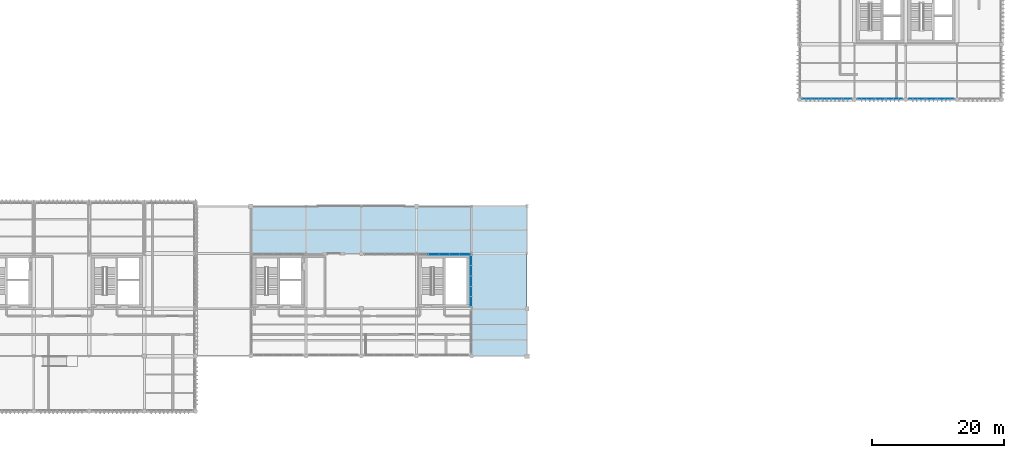
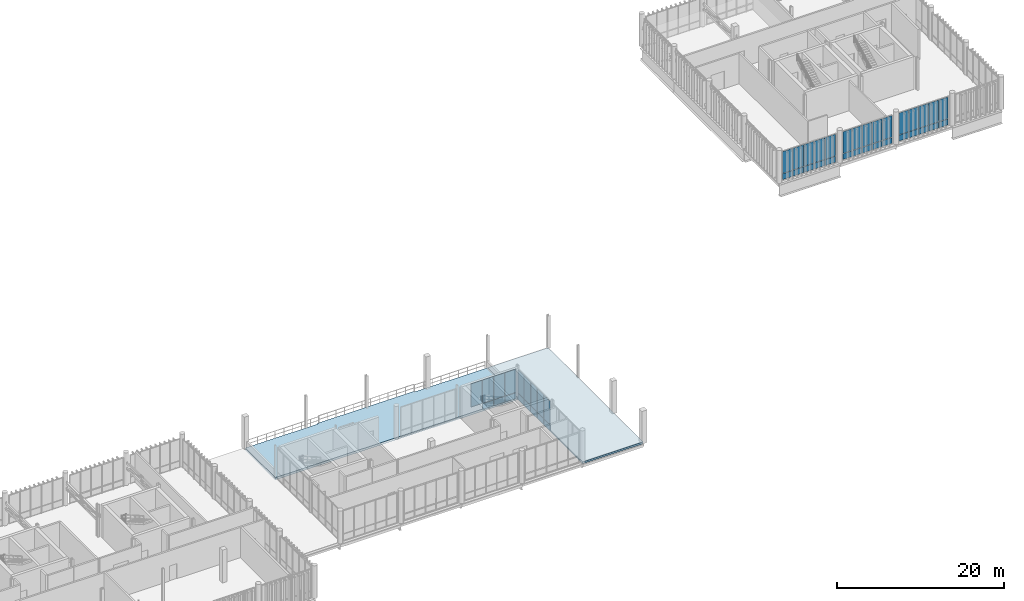
# One storey, part 64 of 81: 47 plates, 2 slabs, 5 elements without a shape of their own.
"""IFC4 building model written with IfcOpenShell, lengths in metres."""

from ifc_helpers import new_model, si_unit, direction, frame, frame_2d, origin_with_axes, place, context, subcontext, project, spatial, polyline, rectangle, outline, extrude, material, layer, layer_set, type_object, element, aggregate, save


model = new_model("IFC4")

# Units and contexts
model_context = context("Model", 3, precision=1e-05, world=origin_with_axes(), true_north=direction((0.0, 1.0)))
body_context = subcontext(model_context, "Body", "Model", "MODEL_VIEW")
ifc_project = project(units=[si_unit("LENGTHUNIT", "METRE"), si_unit("AREAUNIT", "SQUARE_METRE"), si_unit("VOLUMEUNIT", "CUBIC_METRE"), si_unit("PLANEANGLEUNIT", "RADIAN"), si_unit("MASSUNIT", "GRAM", prefix="KILO"), si_unit("THERMODYNAMICTEMPERATUREUNIT", "KELVIN")], contexts=[model_context])

# Site, building, storey
site_placement = place(None, origin_with_axes())
site = spatial("IfcSite", under=ifc_project, at=site_placement, CompositionType="ELEMENT")
building_placement = place(site_placement, origin_with_axes())
building = spatial("IfcBuilding", under=site, at=building_placement, Name="Montbau Bow Law Courts", CompositionType="ELEMENT")
storey_placement = place(building_placement, frame((0.0, 0.0, 24.9), z_axis=(0.0, 0.0, 1.0), x_axis=(1.0, 0.0, 0.0)))
storey = spatial("IfcBuildingStorey", under=building, at=storey_placement, Name="L05", CompositionType="ELEMENT", Elevation=24.9)

# Curtain wall, plates
ifc_material_1 = material(Name="Thermally Broken Extruded Aluminium AA 6063-T6", Category="aluminium")
curtain_wall_type_1 = type_object("IfcCurtainWallType", Name="CW-SLT-02", PredefinedType="NOTDEFINED", material=ifc_material_1)
curtain_wall_1_placement = place(None, frame((139.04, 78.14, 24.9), z_axis=(0.0, 0.0, 1.0), x_axis=(1.0, 0.0, 0.0)))
curtain_wall_1 = element("IfcCurtainWall", 1, at=curtain_wall_1_placement, inside=storey, type_object=curtain_wall_type_1, Name="CW-L05-333:cw_0333", PredefinedType="NOTDEFINED")
ifc_material_2 = material(Name="Triple-Glazed Low-E Argon Insulating Glass Unit", Category="glass")
ifc_layer_1 = layer(ifc_material_2, 0.044, Name="Curtain Panel", Category="glass")
ifc_layer_set_1 = layer_set([ifc_layer_1], Name="Triple-Glazed Low-E Argon Insulating Glass Unit")
plate_type_1 = type_object("IfcPlateType", Name="PL-CWP-01", PredefinedType="CURTAIN_PANEL", material=ifc_layer_set_1)
plate_1_placement = place(None, frame((139.116, 78.14, 25.88), z_axis=(0.0, -1.0, 0.0), x_axis=(1.0, 0.0, 0.0)))
plate_1 = element("IfcPlate", 2, at=plate_1_placement, type_object=plate_type_1, Name="CW-L05-333-P01-2:cw_0333_P01_2", PredefinedType="CURTAIN_PANEL", context=body_context, shape_type="SweptSolid", body=[
    extrude(rectangle(XDim=1.388, YDim=3.184, at=frame_2d((0.694, 1.592), x_axis=(1.0, 0.0))), frame((0.0, 0.0, -0.022), z_axis=(0.0, 0.0, 1.0), x_axis=(1.0, 0.0, 0.0)), (0.0, 0.0, 1.0), 0.044),
])
plate_2_placement = place(None, frame((140.584, 78.14, 25.88), z_axis=(0.0, -1.0, 0.0), x_axis=(1.0, 0.0, 0.0)))
plate_2 = element("IfcPlate", 3, at=plate_2_placement, type_object=plate_type_1, Name="CW-L05-333-P02-2:cw_0333_P02_2", PredefinedType="CURTAIN_PANEL", context=body_context, shape_type="SweptSolid", body=[
    extrude(rectangle(XDim=1.425, YDim=3.184, at=frame_2d((0.7125, 1.592), x_axis=(1.0, 0.0))), frame((0.0, 0.0, -0.022), z_axis=(0.0, 0.0, 1.0), x_axis=(1.0, 0.0, 0.0)), (0.0, 0.0, 1.0), 0.044),
])
plate_3_placement = place(None, frame((142.087, 78.14, 25.88), z_axis=(0.0, -1.0, 0.0), x_axis=(1.0, 0.0, 0.0)))
plate_3 = element("IfcPlate", 4, at=plate_3_placement, type_object=plate_type_1, Name="CW-L05-333-P03-2:cw_0333_P03_2", PredefinedType="CURTAIN_PANEL", context=body_context, shape_type="SweptSolid", body=[
    extrude(rectangle(XDim=1.426, YDim=3.184, at=frame_2d((0.713, 1.592), x_axis=(1.0, 0.0))), frame((0.0, 0.0, -0.022), z_axis=(0.0, 0.0, 1.0), x_axis=(1.0, 0.0, 0.0)), (0.0, 0.0, 1.0), 0.044),
])
plate_4_placement = place(None, frame((143.591, 78.14, 25.88), z_axis=(0.0, -1.0, 0.0), x_axis=(1.0, 0.0, 0.0)))
plate_4 = element("IfcPlate", 5, at=plate_4_placement, type_object=plate_type_1, Name="CW-L05-333-P04-2:cw_0333_P04_2", PredefinedType="CURTAIN_PANEL", context=body_context, shape_type="SweptSolid", body=[
    extrude(rectangle(XDim=1.426, YDim=3.184, at=frame_2d((0.713, 1.592), x_axis=(1.0, 0.0))), frame((0.0, 0.0, -0.022), z_axis=(0.0, 0.0, 1.0), x_axis=(1.0, 0.0, 0.0)), (0.0, 0.0, 1.0), 0.044),
])
plate_5_placement = place(None, frame((145.095, 78.14, 25.88), z_axis=(0.0, -1.0, 0.0), x_axis=(1.0, 0.0, 0.0)))
plate_5 = element("IfcPlate", 6, at=plate_5_placement, type_object=plate_type_1, Name="CW-L05-333-P05-2:cw_0333_P05_2", PredefinedType="CURTAIN_PANEL", context=body_context, shape_type="SweptSolid", body=[
    extrude(rectangle(XDim=1.389, YDim=3.184, at=frame_2d((0.6945, 1.592), x_axis=(1.0, 0.0))), frame((0.0, 0.0, -0.022), z_axis=(0.0, 0.0, 1.0), x_axis=(1.0, 0.0, 0.0)), (0.0, 0.0, 1.0), 0.044),
])

curtain_wall_2_placement = place(None, frame((147.44, 78.14, 24.9), z_axis=(0.0, 0.0, 1.0), x_axis=(1.0, 0.0, 0.0)))
curtain_wall_2 = element("IfcCurtainWall", 7, at=curtain_wall_2_placement, inside=storey, type_object=curtain_wall_type_1, Name="CW-L05-334:cw_0334", PredefinedType="NOTDEFINED")
plate_6_placement = place(None, frame((147.508, 78.14, 25.882), z_axis=(0.0, -1.0, 0.0), x_axis=(1.0, 0.0, 0.0)))
plate_6 = element("IfcPlate", 8, at=plate_6_placement, type_object=plate_type_1, Name="CW-L05-334-P01-2:cw_0334_P01_2", PredefinedType="CURTAIN_PANEL", context=body_context, shape_type="SweptSolid", body=[
    extrude(rectangle(XDim=1.281, YDim=3.176, at=frame_2d((0.6405, 1.588), x_axis=(1.0, 0.0))), frame((0.0, 0.0, -0.022), z_axis=(0.0, 0.0, 1.0), x_axis=(1.0, 0.0, 0.0)), (0.0, 0.0, 1.0), 0.044),
])
plate_7_placement = place(None, frame((148.858, 78.14, 25.882), z_axis=(0.0, -1.0, 0.0), x_axis=(1.0, 0.0, 0.0)))
plate_7 = element("IfcPlate", 9, at=plate_7_placement, type_object=plate_type_1, Name="CW-L05-334-P02-2:cw_0334_P02_2", PredefinedType="CURTAIN_PANEL", context=body_context, shape_type="SweptSolid", body=[
    extrude(rectangle(XDim=1.315, YDim=3.176, at=frame_2d((0.6575, 1.588), x_axis=(1.0, 0.0))), frame((0.0, 0.0, -0.022), z_axis=(0.0, 0.0, 1.0), x_axis=(1.0, 0.0, 0.0)), (0.0, 0.0, 1.0), 0.044),
])
plate_8_placement = place(None, frame((150.242, 78.14, 25.882), z_axis=(0.0, -1.0, 0.0), x_axis=(1.0, 0.0, 0.0)))
plate_8 = element("IfcPlate", 10, at=plate_8_placement, type_object=plate_type_1, Name="CW-L05-334-P03-2:cw_0334_P03_2", PredefinedType="CURTAIN_PANEL", context=body_context, shape_type="SweptSolid", body=[
    extrude(rectangle(XDim=1.316, YDim=3.176, at=frame_2d((0.658, 1.588), x_axis=(1.0, 0.0))), frame((0.0, 0.0, -0.022), z_axis=(0.0, 0.0, 1.0), x_axis=(1.0, 0.0, 0.0)), (0.0, 0.0, 1.0), 0.044),
])
plate_9_placement = place(None, frame((151.626, 78.14, 25.882), z_axis=(0.0, -1.0, 0.0), x_axis=(1.0, 0.0, 0.0)))
plate_9 = element("IfcPlate", 11, at=plate_9_placement, type_object=plate_type_1, Name="CW-L05-334-P04-2:cw_0334_P04_2", PredefinedType="CURTAIN_PANEL", context=body_context, shape_type="SweptSolid", body=[
    extrude(rectangle(XDim=1.316, YDim=3.176, at=frame_2d((0.658, 1.588), x_axis=(1.0, 0.0))), frame((0.0, 0.0, -0.022), z_axis=(0.0, 0.0, 1.0), x_axis=(1.0, 0.0, 0.0)), (0.0, 0.0, 1.0), 0.044),
])
plate_10_placement = place(None, frame((153.01, 78.14, 25.882), z_axis=(0.0, -1.0, 0.0), x_axis=(1.0, 0.0, 0.0)))
plate_10 = element("IfcPlate", 12, at=plate_10_placement, type_object=plate_type_1, Name="CW-L05-334-P05-2:cw_0334_P05_2", PredefinedType="CURTAIN_PANEL", context=body_context, shape_type="SweptSolid", body=[
    extrude(rectangle(XDim=1.284, YDim=3.176, at=frame_2d((0.642, 1.588), x_axis=(1.0, 0.0))), frame((0.0, 0.0, -0.022), z_axis=(0.0, 0.0, 1.0), x_axis=(1.0, 0.0, 0.0)), (0.0, 0.0, 1.0), 0.044),
])

curtain_wall_3_placement = place(None, frame((155.24, 78.14, 24.9), z_axis=(0.0, 0.0, 1.0), x_axis=(1.0, 0.0, 0.0)))
curtain_wall_3 = element("IfcCurtainWall", 13, at=curtain_wall_3_placement, inside=storey, type_object=curtain_wall_type_1, Name="CW-L05-335:cw_0335", PredefinedType="NOTDEFINED")
plate_11_placement = place(None, frame((155.302, 78.14, 25.88), z_axis=(0.0, -1.0, 0.0), x_axis=(1.0, 0.0, 0.0)))
plate_11 = element("IfcPlate", 14, at=plate_11_placement, type_object=plate_type_1, Name="CW-L05-335-P01-2:cw_0335_P01_2", PredefinedType="CURTAIN_PANEL", context=body_context, shape_type="SweptSolid", body=[
    extrude(rectangle(XDim=1.29, YDim=3.184, at=frame_2d((0.645, 1.592), x_axis=(1.0, 0.0))), frame((0.0, 0.0, -0.022), z_axis=(0.0, 0.0, 1.0), x_axis=(1.0, 0.0, 0.0)), (0.0, 0.0, 1.0), 0.044),
])
plate_12_placement = place(None, frame((156.656, 78.14, 25.88), z_axis=(0.0, -1.0, 0.0), x_axis=(1.0, 0.0, 0.0)))
plate_12 = element("IfcPlate", 15, at=plate_12_placement, type_object=plate_type_1, Name="CW-L05-335-P02-2:cw_0335_P02_2", PredefinedType="CURTAIN_PANEL", context=body_context, shape_type="SweptSolid", body=[
    extrude(rectangle(XDim=1.32, YDim=3.184, at=frame_2d((0.66, 1.592), x_axis=(1.0, 0.0))), frame((0.0, 0.0, -0.022), z_axis=(0.0, 0.0, 1.0), x_axis=(1.0, 0.0, 0.0)), (0.0, 0.0, 1.0), 0.044),
])
plate_13_placement = place(None, frame((158.04, 78.14, 25.88), z_axis=(0.0, -1.0, 0.0), x_axis=(1.0, 0.0, 0.0)))
plate_13 = element("IfcPlate", 16, at=plate_13_placement, type_object=plate_type_1, Name="CW-L05-335-P03-2:cw_0335_P03_2", PredefinedType="CURTAIN_PANEL", context=body_context, shape_type="SweptSolid", body=[
    extrude(rectangle(XDim=1.32, YDim=3.184, at=frame_2d((0.66, 1.592), x_axis=(1.0, 0.0))), frame((0.0, 0.0, -0.022), z_axis=(0.0, 0.0, 1.0), x_axis=(1.0, 0.0, 0.0)), (0.0, 0.0, 1.0), 0.044),
])
plate_14_placement = place(None, frame((159.424, 78.14, 25.88), z_axis=(0.0, -1.0, 0.0), x_axis=(1.0, 0.0, 0.0)))
plate_14 = element("IfcPlate", 17, at=plate_14_placement, type_object=plate_type_1, Name="CW-L05-335-P04-2:cw_0335_P04_2", PredefinedType="CURTAIN_PANEL", context=body_context, shape_type="SweptSolid", body=[
    extrude(rectangle(XDim=1.32, YDim=3.184, at=frame_2d((0.66, 1.592), x_axis=(1.0, 0.0))), frame((0.0, 0.0, -0.022), z_axis=(0.0, 0.0, 1.0), x_axis=(1.0, 0.0, 0.0)), (0.0, 0.0, 1.0), 0.044),
])
plate_15_placement = place(None, frame((160.808, 78.14, 25.88), z_axis=(0.0, -1.0, 0.0), x_axis=(1.0, 0.0, 0.0)))
plate_15 = element("IfcPlate", 18, at=plate_15_placement, type_object=plate_type_1, Name="CW-L05-335-P05-2:cw_0335_P05_2", PredefinedType="CURTAIN_PANEL", context=body_context, shape_type="SweptSolid", body=[
    extrude(rectangle(XDim=1.29, YDim=3.184, at=frame_2d((0.645, 1.592), x_axis=(1.0, 0.0))), frame((0.0, 0.0, -0.022), z_axis=(0.0, 0.0, 1.0), x_axis=(1.0, 0.0, 0.0)), (0.0, 0.0, 1.0), 0.044),
])

curtain_wall_type_2 = type_object("IfcCurtainWallType", Name="CW-NCK-02", PredefinedType="NOTDEFINED", material=ifc_material_1)
curtain_wall_4_placement = place(None, frame((80.668, 54.46, 24.9), z_axis=(0.0, 0.0, 1.0), x_axis=(1.0, 0.0, 0.0)))
curtain_wall_4 = element("IfcCurtainWall", 19, at=curtain_wall_4_placement, inside=storey, type_object=curtain_wall_type_2, Name="CW-L05-218:cw_0218", PredefinedType="NOTDEFINED")
ifc_material_3 = material(Name="Insulated Ceramic-Frit Spandrel Glazing Unit", Category="glass")
ifc_layer_2 = layer(ifc_material_3, 0.056, Name="Curtain Panel", Category="glass")
ifc_layer_set_2 = layer_set([ifc_layer_2], Name="Insulated Ceramic-Frit Spandrel Glazing Unit")
plate_type_2 = type_object("IfcPlateType", Name="PL-CWP-02", PredefinedType="CURTAIN_PANEL", material=ifc_layer_set_2)
plate_16_placement = place(None, frame((83.846, 54.46, 24.962), z_axis=(0.0, -1.0, 0.0), x_axis=(1.0, 0.0, 0.0)))
plate_16 = element("IfcPlate", 20, at=plate_16_placement, type_object=plate_type_2, Name="CW-L05-218-P03-1:cw_0218_P03_1", PredefinedType="CURTAIN_PANEL", context=body_context, shape_type="SweptSolid", body=[
    extrude(rectangle(XDim=1.508, YDim=0.856, at=frame_2d((0.754, 0.428), x_axis=(1.0, 0.0))), frame((0.0, 0.0, -0.028), z_axis=(0.0, 0.0, 1.0), x_axis=(1.0, 0.0, 0.0)), (0.0, 0.0, 1.0), 0.056),
])
plate_17_placement = place(None, frame((85.418, 54.46, 24.962), z_axis=(0.0, -1.0, 0.0), x_axis=(1.0, 0.0, 0.0)))
plate_17 = element("IfcPlate", 21, at=plate_17_placement, type_object=plate_type_2, Name="CW-L05-218-P04-1:cw_0218_P04_1", PredefinedType="CURTAIN_PANEL", context=body_context, shape_type="SweptSolid", body=[
    extrude(rectangle(XDim=1.509, YDim=0.856, at=frame_2d((0.7545, 0.428), x_axis=(1.0, 0.0))), frame((0.0, 0.0, -0.028), z_axis=(0.0, 0.0, 1.0), x_axis=(1.0, 0.0, 0.0)), (0.0, 0.0, 1.0), 0.056),
])
plate_18_placement = place(None, frame((86.991, 54.46, 24.962), z_axis=(0.0, -1.0, 0.0), x_axis=(1.0, 0.0, 0.0)))
plate_18 = element("IfcPlate", 22, at=plate_18_placement, type_object=plate_type_2, Name="CW-L05-218-P05-1:cw_0218_P05_1", PredefinedType="CURTAIN_PANEL", context=body_context, shape_type="SweptSolid", body=[
    extrude(rectangle(XDim=1.479, YDim=0.856, at=frame_2d((0.7395, 0.428), x_axis=(1.0, 0.0))), frame((0.0, 0.0, -0.028), z_axis=(0.0, 0.0, 1.0), x_axis=(1.0, 0.0, 0.0)), (0.0, 0.0, 1.0), 0.056),
])

curtain_wall_5_placement = place(None, frame((88.66, 46.468, 24.9), z_axis=(0.0, 0.0, 1.0), x_axis=(1.0, 0.0, 0.0)))
curtain_wall_5 = element("IfcCurtainWall", 23, at=curtain_wall_5_placement, inside=storey, type_object=curtain_wall_type_2, Name="CW-L05-222:cw_0222", PredefinedType="NOTDEFINED")
plate_19_placement = place(None, frame((88.66, 46.544, 24.962), z_axis=(1.0, 0.0, 0.0), x_axis=(0.0, 1.0, 0.0)))
plate_19 = element("IfcPlate", 24, at=plate_19_placement, type_object=plate_type_2, Name="CW-L05-222-P01-1:cw_0222_P01_1", PredefinedType="CURTAIN_PANEL", context=body_context, shape_type="SweptSolid", body=[
    extrude(rectangle(XDim=1.457, YDim=0.856, at=frame_2d((0.7285, 0.428), x_axis=(1.0, 0.0))), frame((0.0, 0.0, -0.028), z_axis=(0.0, 0.0, 1.0), x_axis=(1.0, 0.0, 0.0)), (0.0, 0.0, 1.0), 0.056),
])
plate_20_placement = place(None, frame((88.66, 48.081, 24.962), z_axis=(1.0, 0.0, 0.0), x_axis=(0.0, 1.0, 0.0)))
plate_20 = element("IfcPlate", 25, at=plate_20_placement, type_object=plate_type_2, Name="CW-L05-222-P02-1:cw_0222_P02_1", PredefinedType="CURTAIN_PANEL", context=body_context, shape_type="SweptSolid", body=[
    extrude(rectangle(XDim=1.494, YDim=0.856, at=frame_2d((0.747, 0.428), x_axis=(1.0, 0.0))), frame((0.0, 0.0, -0.028), z_axis=(0.0, 0.0, 1.0), x_axis=(1.0, 0.0, 0.0)), (0.0, 0.0, 1.0), 0.056),
])
plate_21_placement = place(None, frame((88.66, 49.653, 24.962), z_axis=(1.0, 0.0, 0.0), x_axis=(0.0, 1.0, 0.0)))
plate_21 = element("IfcPlate", 26, at=plate_21_placement, type_object=plate_type_2, Name="CW-L05-222-P03-1:cw_0222_P03_1", PredefinedType="CURTAIN_PANEL", context=body_context, shape_type="SweptSolid", body=[
    extrude(rectangle(XDim=1.494, YDim=0.856, at=frame_2d((0.747, 0.428), x_axis=(1.0, 0.0))), frame((0.0, 0.0, -0.028), z_axis=(0.0, 0.0, 1.0), x_axis=(1.0, 0.0, 0.0)), (0.0, 0.0, 1.0), 0.056),
])
plate_22_placement = place(None, frame((88.66, 51.225, 24.962), z_axis=(1.0, 0.0, 0.0), x_axis=(0.0, 1.0, 0.0)))
plate_22 = element("IfcPlate", 27, at=plate_22_placement, type_object=plate_type_2, Name="CW-L05-222-P04-1:cw_0222_P04_1", PredefinedType="CURTAIN_PANEL", context=body_context, shape_type="SweptSolid", body=[
    extrude(rectangle(XDim=1.495, YDim=0.856, at=frame_2d((0.7475, 0.428), x_axis=(1.0, 0.0))), frame((0.0, 0.0, -0.028), z_axis=(0.0, 0.0, 1.0), x_axis=(1.0, 0.0, 0.0)), (0.0, 0.0, 1.0), 0.056),
])
plate_23_placement = place(None, frame((88.66, 52.798, 24.962), z_axis=(1.0, 0.0, 0.0), x_axis=(0.0, 1.0, 0.0)))
plate_23 = element("IfcPlate", 28, at=plate_23_placement, type_object=plate_type_2, Name="CW-L05-222-P05-1:cw_0222_P05_1", PredefinedType="CURTAIN_PANEL", context=body_context, shape_type="SweptSolid", body=[
    extrude(rectangle(XDim=1.457, YDim=0.856, at=frame_2d((0.7285, 0.428), x_axis=(1.0, 0.0))), frame((0.0, 0.0, -0.028), z_axis=(0.0, 0.0, 1.0), x_axis=(1.0, 0.0, 0.0)), (0.0, 0.0, 1.0), 0.056),
])

# Plate
plate_24_placement = place(None, frame((139.116, 78.14, 24.956), z_axis=(0.0, -1.0, 0.0), x_axis=(1.0, 0.0, 0.0)))
plate_24 = element("IfcPlate", 29, at=plate_24_placement, type_object=plate_type_2, Name="CW-L05-333-P01-1:cw_0333_P01_1", PredefinedType="CURTAIN_PANEL", context=body_context, shape_type="SweptSolid", body=[
    extrude(rectangle(XDim=1.388, YDim=0.865, at=frame_2d((0.694, 0.4325), x_axis=(1.0, 0.0))), frame((0.0, 0.0, -0.028), z_axis=(0.0, 0.0, 1.0), x_axis=(1.0, 0.0, 0.0)), (0.0, 0.0, 1.0), 0.056),
])

plate_25_placement = place(None, frame((140.584, 78.14, 24.956), z_axis=(0.0, -1.0, 0.0), x_axis=(1.0, 0.0, 0.0)))
plate_25 = element("IfcPlate", 30, at=plate_25_placement, type_object=plate_type_2, Name="CW-L05-333-P02-1:cw_0333_P02_1", PredefinedType="CURTAIN_PANEL", context=body_context, shape_type="SweptSolid", body=[
    extrude(rectangle(XDim=1.425, YDim=0.865, at=frame_2d((0.7125, 0.4325), x_axis=(1.0, 0.0))), frame((0.0, 0.0, -0.028), z_axis=(0.0, 0.0, 1.0), x_axis=(1.0, 0.0, 0.0)), (0.0, 0.0, 1.0), 0.056),
])

plate_26_placement = place(None, frame((142.087, 78.14, 24.956), z_axis=(0.0, -1.0, 0.0), x_axis=(1.0, 0.0, 0.0)))
plate_26 = element("IfcPlate", 31, at=plate_26_placement, type_object=plate_type_2, Name="CW-L05-333-P03-1:cw_0333_P03_1", PredefinedType="CURTAIN_PANEL", context=body_context, shape_type="SweptSolid", body=[
    extrude(rectangle(XDim=1.426, YDim=0.865, at=frame_2d((0.713, 0.4325), x_axis=(1.0, 0.0))), frame((0.0, 0.0, -0.028), z_axis=(0.0, 0.0, 1.0), x_axis=(1.0, 0.0, 0.0)), (0.0, 0.0, 1.0), 0.056),
])

plate_27_placement = place(None, frame((143.591, 78.14, 24.956), z_axis=(0.0, -1.0, 0.0), x_axis=(1.0, 0.0, 0.0)))
plate_27 = element("IfcPlate", 32, at=plate_27_placement, type_object=plate_type_2, Name="CW-L05-333-P04-1:cw_0333_P04_1", PredefinedType="CURTAIN_PANEL", context=body_context, shape_type="SweptSolid", body=[
    extrude(rectangle(XDim=1.426, YDim=0.865, at=frame_2d((0.713, 0.4325), x_axis=(1.0, 0.0))), frame((0.0, 0.0, -0.028), z_axis=(0.0, 0.0, 1.0), x_axis=(1.0, 0.0, 0.0)), (0.0, 0.0, 1.0), 0.056),
])

plate_28_placement = place(None, frame((145.095, 78.14, 24.956), z_axis=(0.0, -1.0, 0.0), x_axis=(1.0, 0.0, 0.0)))
plate_28 = element("IfcPlate", 33, at=plate_28_placement, type_object=plate_type_2, Name="CW-L05-333-P05-1:cw_0333_P05_1", PredefinedType="CURTAIN_PANEL", context=body_context, shape_type="SweptSolid", body=[
    extrude(rectangle(XDim=1.389, YDim=0.865, at=frame_2d((0.6945, 0.4325), x_axis=(1.0, 0.0))), frame((0.0, 0.0, -0.028), z_axis=(0.0, 0.0, 1.0), x_axis=(1.0, 0.0, 0.0)), (0.0, 0.0, 1.0), 0.056),
])

aggregate(curtain_wall_1, [plate_24, plate_1, plate_25, plate_2, plate_26, plate_3, plate_27, plate_4, plate_28, plate_5])

plate_29_placement = place(None, frame((147.508, 78.14, 24.962), z_axis=(0.0, -1.0, 0.0), x_axis=(1.0, 0.0, 0.0)))
plate_29 = element("IfcPlate", 34, at=plate_29_placement, type_object=plate_type_2, Name="CW-L05-334-P01-1:cw_0334_P01_1", PredefinedType="CURTAIN_PANEL", context=body_context, shape_type="SweptSolid", body=[
    extrude(rectangle(XDim=1.281, YDim=0.856, at=frame_2d((0.6405, 0.428), x_axis=(1.0, 0.0))), frame((0.0, 0.0, -0.028), z_axis=(0.0, 0.0, 1.0), x_axis=(1.0, 0.0, 0.0)), (0.0, 0.0, 1.0), 0.056),
])

plate_30_placement = place(None, frame((148.858, 78.14, 24.962), z_axis=(0.0, -1.0, 0.0), x_axis=(1.0, 0.0, 0.0)))
plate_30 = element("IfcPlate", 35, at=plate_30_placement, type_object=plate_type_2, Name="CW-L05-334-P02-1:cw_0334_P02_1", PredefinedType="CURTAIN_PANEL", context=body_context, shape_type="SweptSolid", body=[
    extrude(rectangle(XDim=1.315, YDim=0.856, at=frame_2d((0.6575, 0.428), x_axis=(1.0, 0.0))), frame((0.0, 0.0, -0.028), z_axis=(0.0, 0.0, 1.0), x_axis=(1.0, 0.0, 0.0)), (0.0, 0.0, 1.0), 0.056),
])

plate_31_placement = place(None, frame((150.242, 78.14, 24.962), z_axis=(0.0, -1.0, 0.0), x_axis=(1.0, 0.0, 0.0)))
plate_31 = element("IfcPlate", 36, at=plate_31_placement, type_object=plate_type_2, Name="CW-L05-334-P03-1:cw_0334_P03_1", PredefinedType="CURTAIN_PANEL", context=body_context, shape_type="SweptSolid", body=[
    extrude(rectangle(XDim=1.316, YDim=0.856, at=frame_2d((0.658, 0.428), x_axis=(1.0, 0.0))), frame((0.0, 0.0, -0.028), z_axis=(0.0, 0.0, 1.0), x_axis=(1.0, 0.0, 0.0)), (0.0, 0.0, 1.0), 0.056),
])

plate_32_placement = place(None, frame((151.626, 78.14, 24.962), z_axis=(0.0, -1.0, 0.0), x_axis=(1.0, 0.0, 0.0)))
plate_32 = element("IfcPlate", 37, at=plate_32_placement, type_object=plate_type_2, Name="CW-L05-334-P04-1:cw_0334_P04_1", PredefinedType="CURTAIN_PANEL", context=body_context, shape_type="SweptSolid", body=[
    extrude(rectangle(XDim=1.316, YDim=0.856, at=frame_2d((0.658, 0.428), x_axis=(1.0, 0.0))), frame((0.0, 0.0, -0.028), z_axis=(0.0, 0.0, 1.0), x_axis=(1.0, 0.0, 0.0)), (0.0, 0.0, 1.0), 0.056),
])

plate_33_placement = place(None, frame((153.01, 78.14, 24.962), z_axis=(0.0, -1.0, 0.0), x_axis=(1.0, 0.0, 0.0)))
plate_33 = element("IfcPlate", 38, at=plate_33_placement, type_object=plate_type_2, Name="CW-L05-334-P05-1:cw_0334_P05_1", PredefinedType="CURTAIN_PANEL", context=body_context, shape_type="SweptSolid", body=[
    extrude(rectangle(XDim=1.284, YDim=0.856, at=frame_2d((0.642, 0.428), x_axis=(1.0, 0.0))), frame((0.0, 0.0, -0.028), z_axis=(0.0, 0.0, 1.0), x_axis=(1.0, 0.0, 0.0)), (0.0, 0.0, 1.0), 0.056),
])

aggregate(curtain_wall_2, [plate_29, plate_6, plate_30, plate_7, plate_31, plate_8, plate_32, plate_9, plate_33, plate_10])

plate_34_placement = place(None, frame((155.302, 78.14, 24.956), z_axis=(0.0, -1.0, 0.0), x_axis=(1.0, 0.0, 0.0)))
plate_34 = element("IfcPlate", 39, at=plate_34_placement, type_object=plate_type_2, Name="CW-L05-335-P01-1:cw_0335_P01_1", PredefinedType="CURTAIN_PANEL", context=body_context, shape_type="SweptSolid", body=[
    extrude(rectangle(XDim=1.29, YDim=0.865, at=frame_2d((0.645, 0.4325), x_axis=(1.0, 0.0))), frame((0.0, 0.0, -0.028), z_axis=(0.0, 0.0, 1.0), x_axis=(1.0, 0.0, 0.0)), (0.0, 0.0, 1.0), 0.056),
])

plate_35_placement = place(None, frame((156.656, 78.14, 24.956), z_axis=(0.0, -1.0, 0.0), x_axis=(1.0, 0.0, 0.0)))
plate_35 = element("IfcPlate", 40, at=plate_35_placement, type_object=plate_type_2, Name="CW-L05-335-P02-1:cw_0335_P02_1", PredefinedType="CURTAIN_PANEL", context=body_context, shape_type="SweptSolid", body=[
    extrude(rectangle(XDim=1.32, YDim=0.865, at=frame_2d((0.66, 0.4325), x_axis=(1.0, 0.0))), frame((0.0, 0.0, -0.028), z_axis=(0.0, 0.0, 1.0), x_axis=(1.0, 0.0, 0.0)), (0.0, 0.0, 1.0), 0.056),
])

plate_36_placement = place(None, frame((158.04, 78.14, 24.956), z_axis=(0.0, -1.0, 0.0), x_axis=(1.0, 0.0, 0.0)))
plate_36 = element("IfcPlate", 41, at=plate_36_placement, type_object=plate_type_2, Name="CW-L05-335-P03-1:cw_0335_P03_1", PredefinedType="CURTAIN_PANEL", context=body_context, shape_type="SweptSolid", body=[
    extrude(rectangle(XDim=1.32, YDim=0.865, at=frame_2d((0.66, 0.4325), x_axis=(1.0, 0.0))), frame((0.0, 0.0, -0.028), z_axis=(0.0, 0.0, 1.0), x_axis=(1.0, 0.0, 0.0)), (0.0, 0.0, 1.0), 0.056),
])

plate_37_placement = place(None, frame((159.424, 78.14, 24.956), z_axis=(0.0, -1.0, 0.0), x_axis=(1.0, 0.0, 0.0)))
plate_37 = element("IfcPlate", 42, at=plate_37_placement, type_object=plate_type_2, Name="CW-L05-335-P04-1:cw_0335_P04_1", PredefinedType="CURTAIN_PANEL", context=body_context, shape_type="SweptSolid", body=[
    extrude(rectangle(XDim=1.32, YDim=0.865, at=frame_2d((0.66, 0.4325), x_axis=(1.0, 0.0))), frame((0.0, 0.0, -0.028), z_axis=(0.0, 0.0, 1.0), x_axis=(1.0, 0.0, 0.0)), (0.0, 0.0, 1.0), 0.056),
])

plate_38_placement = place(None, frame((160.808, 78.14, 24.956), z_axis=(0.0, -1.0, 0.0), x_axis=(1.0, 0.0, 0.0)))
plate_38 = element("IfcPlate", 43, at=plate_38_placement, type_object=plate_type_2, Name="CW-L05-335-P05-1:cw_0335_P05_1", PredefinedType="CURTAIN_PANEL", context=body_context, shape_type="SweptSolid", body=[
    extrude(rectangle(XDim=1.29, YDim=0.865, at=frame_2d((0.645, 0.4325), x_axis=(1.0, 0.0))), frame((0.0, 0.0, -0.028), z_axis=(0.0, 0.0, 1.0), x_axis=(1.0, 0.0, 0.0)), (0.0, 0.0, 1.0), 0.056),
])

aggregate(curtain_wall_3, [plate_34, plate_11, plate_35, plate_12, plate_36, plate_13, plate_37, plate_14, plate_38, plate_15])

ifc_material_4 = material(Name="Triple-Glazed Winter-Garden Vision Unit", Category="glass")
ifc_layer_3 = layer(ifc_material_4, 0.036, Name="Curtain Panel", Category="glass")
ifc_layer_set_3 = layer_set([ifc_layer_3], Name="Triple-Glazed Winter-Garden Vision Unit")
plate_type_3 = type_object("IfcPlateType", Name="PL-CWP-03", PredefinedType="CURTAIN_PANEL", material=ifc_layer_set_3)
plate_39_placement = place(None, frame((82.273, 54.46, 25.882), z_axis=(0.0, -1.0, 0.0), x_axis=(1.0, 0.0, 0.0)))
plate_39 = element("IfcPlate", 44, at=plate_39_placement, type_object=plate_type_3, Name="CW-L05-218-P02-2:cw_0218_P02_2", PredefinedType="CURTAIN_PANEL", context=body_context, shape_type="SweptSolid", body=[
    extrude(rectangle(XDim=1.509, YDim=3.396, at=frame_2d((0.7545, 1.698), x_axis=(1.0, 0.0))), frame((0.0, 0.0, -0.018), z_axis=(0.0, 0.0, 1.0), x_axis=(1.0, 0.0, 0.0)), (0.0, 0.0, 1.0), 0.036),
])

plate_40_placement = place(None, frame((83.846, 54.46, 25.882), z_axis=(0.0, -1.0, 0.0), x_axis=(1.0, 0.0, 0.0)))
plate_40 = element("IfcPlate", 45, at=plate_40_placement, type_object=plate_type_3, Name="CW-L05-218-P03-2:cw_0218_P03_2", PredefinedType="CURTAIN_PANEL", context=body_context, shape_type="SweptSolid", body=[
    extrude(rectangle(XDim=1.508, YDim=3.396, at=frame_2d((0.754, 1.698), x_axis=(1.0, 0.0))), frame((0.0, 0.0, -0.018), z_axis=(0.0, 0.0, 1.0), x_axis=(1.0, 0.0, 0.0)), (0.0, 0.0, 1.0), 0.036),
])

plate_41_placement = place(None, frame((85.418, 54.46, 25.882), z_axis=(0.0, -1.0, 0.0), x_axis=(1.0, 0.0, 0.0)))
plate_41 = element("IfcPlate", 46, at=plate_41_placement, type_object=plate_type_3, Name="CW-L05-218-P04-2:cw_0218_P04_2", PredefinedType="CURTAIN_PANEL", context=body_context, shape_type="SweptSolid", body=[
    extrude(rectangle(XDim=1.509, YDim=3.396, at=frame_2d((0.7545, 1.698), x_axis=(1.0, 0.0))), frame((0.0, 0.0, -0.018), z_axis=(0.0, 0.0, 1.0), x_axis=(1.0, 0.0, 0.0)), (0.0, 0.0, 1.0), 0.036),
])

plate_42_placement = place(None, frame((86.991, 54.46, 25.882), z_axis=(0.0, -1.0, 0.0), x_axis=(1.0, 0.0, 0.0)))
plate_42 = element("IfcPlate", 47, at=plate_42_placement, type_object=plate_type_3, Name="CW-L05-218-P05-2:cw_0218_P05_2", PredefinedType="CURTAIN_PANEL", context=body_context, shape_type="SweptSolid", body=[
    extrude(rectangle(XDim=1.479, YDim=3.396, at=frame_2d((0.7395, 1.698), x_axis=(1.0, 0.0))), frame((0.0, 0.0, -0.018), z_axis=(0.0, 0.0, 1.0), x_axis=(1.0, 0.0, 0.0)), (0.0, 0.0, 1.0), 0.036),
])

aggregate(curtain_wall_4, [plate_39, plate_16, plate_40, plate_17, plate_41, plate_18, plate_42])

plate_43_placement = place(None, frame((88.66, 46.544, 25.882), z_axis=(1.0, 0.0, 0.0), x_axis=(0.0, 1.0, 0.0)))
plate_43 = element("IfcPlate", 48, at=plate_43_placement, type_object=plate_type_3, Name="CW-L05-222-P01-2:cw_0222_P01_2", PredefinedType="CURTAIN_PANEL", context=body_context, shape_type="SweptSolid", body=[
    extrude(rectangle(XDim=1.457, YDim=3.396, at=frame_2d((0.7285, 1.698), x_axis=(1.0, 0.0))), frame((0.0, 0.0, -0.018), z_axis=(0.0, 0.0, 1.0), x_axis=(1.0, 0.0, 0.0)), (0.0, 0.0, 1.0), 0.036),
])

plate_44_placement = place(None, frame((88.66, 48.081, 25.882), z_axis=(1.0, 0.0, 0.0), x_axis=(0.0, 1.0, 0.0)))
plate_44 = element("IfcPlate", 49, at=plate_44_placement, type_object=plate_type_3, Name="CW-L05-222-P02-2:cw_0222_P02_2", PredefinedType="CURTAIN_PANEL", context=body_context, shape_type="SweptSolid", body=[
    extrude(rectangle(XDim=1.494, YDim=3.396, at=frame_2d((0.747, 1.698), x_axis=(1.0, 0.0))), frame((0.0, 0.0, -0.018), z_axis=(0.0, 0.0, 1.0), x_axis=(1.0, 0.0, 0.0)), (0.0, 0.0, 1.0), 0.036),
])

plate_45_placement = place(None, frame((88.66, 49.653, 25.882), z_axis=(1.0, 0.0, 0.0), x_axis=(0.0, 1.0, 0.0)))
plate_45 = element("IfcPlate", 50, at=plate_45_placement, type_object=plate_type_3, Name="CW-L05-222-P03-2:cw_0222_P03_2", PredefinedType="CURTAIN_PANEL", context=body_context, shape_type="SweptSolid", body=[
    extrude(rectangle(XDim=1.494, YDim=3.396, at=frame_2d((0.747, 1.698), x_axis=(1.0, 0.0))), frame((0.0, 0.0, -0.018), z_axis=(0.0, 0.0, 1.0), x_axis=(1.0, 0.0, 0.0)), (0.0, 0.0, 1.0), 0.036),
])

plate_46_placement = place(None, frame((88.66, 51.225, 25.882), z_axis=(1.0, 0.0, 0.0), x_axis=(0.0, 1.0, 0.0)))
plate_46 = element("IfcPlate", 51, at=plate_46_placement, type_object=plate_type_3, Name="CW-L05-222-P04-2:cw_0222_P04_2", PredefinedType="CURTAIN_PANEL", context=body_context, shape_type="SweptSolid", body=[
    extrude(rectangle(XDim=1.495, YDim=3.396, at=frame_2d((0.7475, 1.698), x_axis=(1.0, 0.0))), frame((0.0, 0.0, -0.018), z_axis=(0.0, 0.0, 1.0), x_axis=(1.0, 0.0, 0.0)), (0.0, 0.0, 1.0), 0.036),
])

plate_47_placement = place(None, frame((88.66, 52.798, 25.882), z_axis=(1.0, 0.0, 0.0), x_axis=(0.0, 1.0, 0.0)))
plate_47 = element("IfcPlate", 52, at=plate_47_placement, type_object=plate_type_3, Name="CW-L05-222-P05-2:cw_0222_P05_2", PredefinedType="CURTAIN_PANEL", context=body_context, shape_type="SweptSolid", body=[
    extrude(rectangle(XDim=1.457, YDim=3.396, at=frame_2d((0.7285, 1.698), x_axis=(1.0, 0.0))), frame((0.0, 0.0, -0.018), z_axis=(0.0, 0.0, 1.0), x_axis=(1.0, 0.0, 0.0)), (0.0, 0.0, 1.0), 0.036),
])

aggregate(curtain_wall_5, [plate_19, plate_43, plate_20, plate_44, plate_21, plate_45, plate_22, plate_46, plate_23, plate_47])

# Slabs
ifc_material_5 = material(Name="Concrete CSA A23.1 f'c 40 MPa", Category="concrete")
ifc_layer_4 = layer(ifc_material_5, 0.25, Name="Roof Slab", Category="concrete")
ifc_layer_set_4 = layer_set([ifc_layer_4], Name="Concrete CSA A23.1 f'c 40 MPa")
slab_type_1 = type_object("IfcSlabType", Name="SL-ROF-01", PredefinedType="ROOF", material=ifc_layer_set_4)
slab_1_placement = place(None, frame((0.0, 0.0, 24.65), z_axis=(0.0, 0.0, 1.0), x_axis=(1.0, 0.0, 0.0)))
element("IfcSlab", 53, at=slab_1_placement, inside=storey, type_object=slab_type_1, Name="RF-SLB-LID-L05-21:slb_0072", PredefinedType="ROOF", context=body_context, shape_type="SweptSolid", body=[
    extrude(outline(polyline([(97.2, 61.8), (97.2, 39.0), (88.804, 39.0), (88.804, 61.8), (97.2, 61.8)])), origin_with_axes(), (0.0, 0.0, 1.0), 0.25),
])
ifc_layer_5 = layer(ifc_material_5, 0.32, Name="Floor Slab", Category="concrete")
ifc_layer_set_5 = layer_set([ifc_layer_5], Name="Concrete CSA A23.1 f'c 40 MPa")
slab_type_2 = type_object("IfcSlabType", Name="SL-TER-01", PredefinedType="FLOOR", material=ifc_layer_set_5)
slab_2_placement = place(None, frame((0.0, 0.0, 24.58), z_axis=(0.0, 0.0, 1.0), x_axis=(1.0, 0.0, 0.0)))
element("IfcSlab", 54, at=slab_2_placement, inside=storey, type_object=slab_type_2, Name="TER-L05-V3:slb_0043", PredefinedType="FLOOR", context=body_context, shape_type="SweptSolid", body=[
    extrude(outline(polyline([(55.2, 54.604), (88.8, 54.604), (88.8, 61.8), (78.72, 61.8), (78.72, 61.94), (65.28, 61.94), (65.28, 61.8), (55.2, 61.8), (55.2, 54.604)])), origin_with_axes(), (0.0, 0.0, 1.0), 0.32),
])

save(model, "model.ifc")
